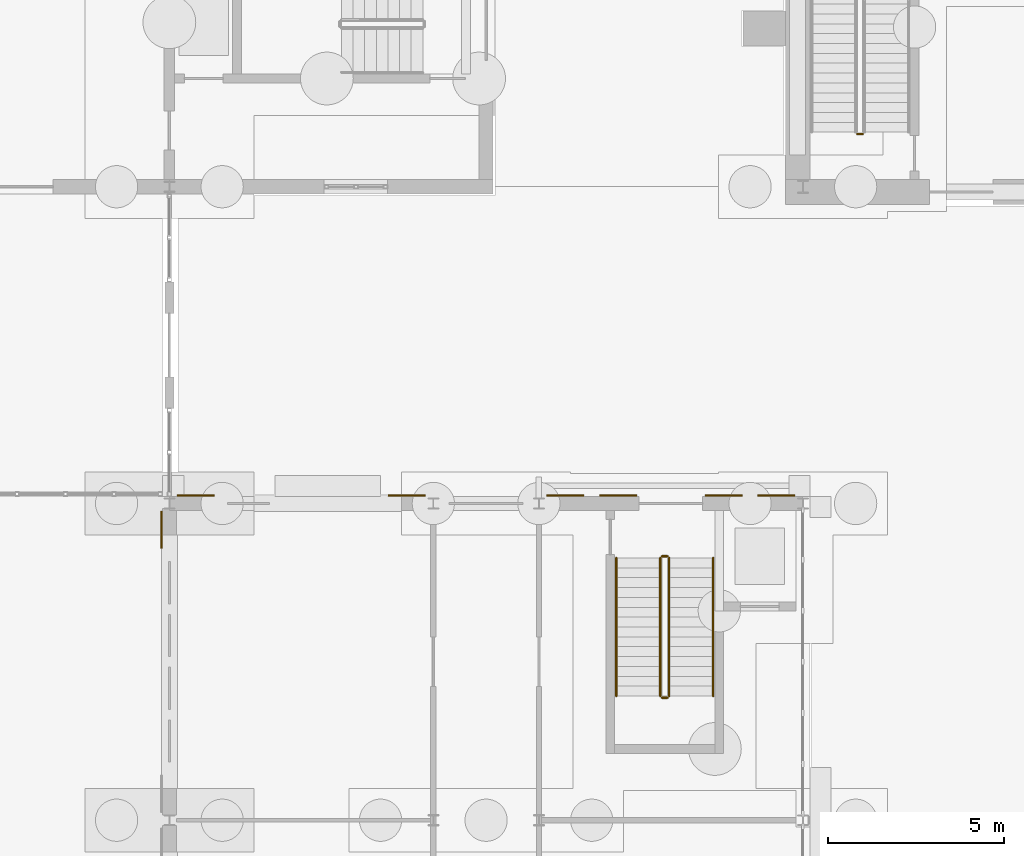
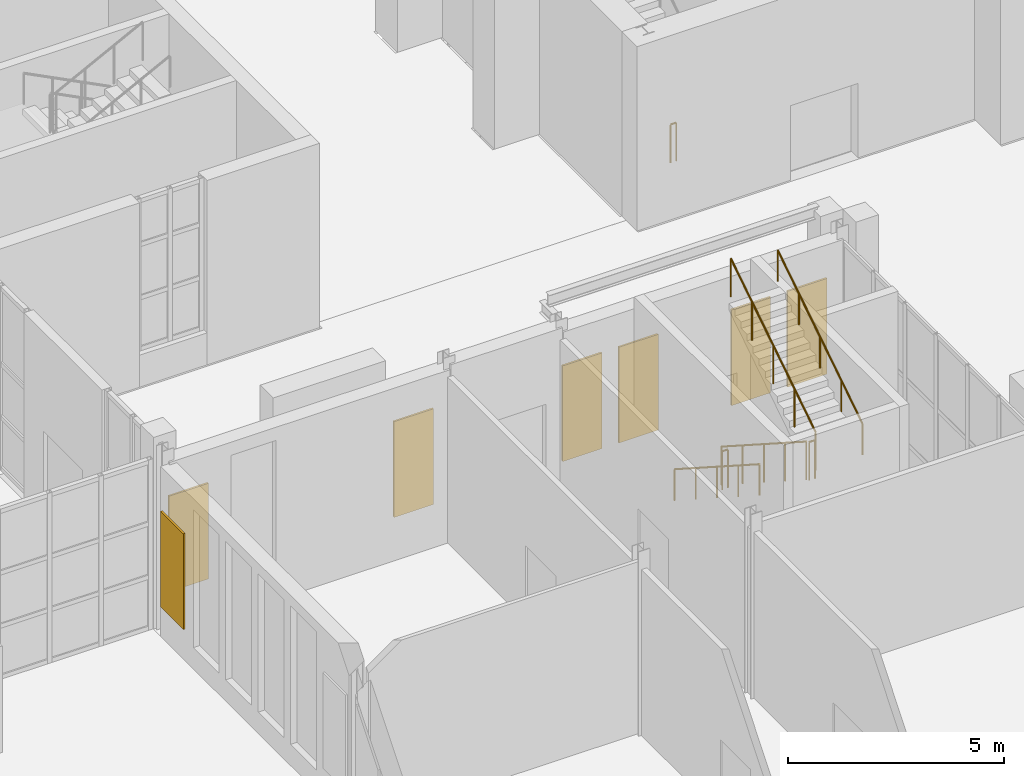
# One storey, part 144 of 168: 7 coverings, 7 railings.
"""IFC4 building model written with IfcOpenShell, lengths in metres."""

from ifc_helpers import new_model, si_unit, direction, frame, origin, origin_2d, place, context, subcontext, project, spatial, polyline, circle, outline, extrude, material, layer, layer_set, type_object, element, save


model = new_model("IFC4")

# Units and contexts
model_context = context("Model", 3, precision=1e-05, world=origin(), true_north=direction((0.0, 1.0)))
body_context = subcontext(model_context, "Body", "Model", "MODEL_VIEW")
ifc_project = project(units=[si_unit("LENGTHUNIT", "METRE"), si_unit("AREAUNIT", "SQUARE_METRE"), si_unit("VOLUMEUNIT", "CUBIC_METRE"), si_unit("PLANEANGLEUNIT", "RADIAN"), si_unit("MASSUNIT", "GRAM", prefix="KILO")], contexts=[model_context])

# Site, building, storey
site_placement = place(None, origin())
site = spatial("IfcSite", under=ifc_project, at=site_placement, CompositionType="ELEMENT")
building_placement = place(site_placement, origin())
building = spatial("IfcBuilding", under=site, at=building_placement, Name="Golden Quay Civic Hall", CompositionType="ELEMENT")
storey_placement = place(building_placement, origin())
storey = spatial("IfcBuildingStorey", under=building, at=storey_placement, Name="L00", CompositionType="ELEMENT", Elevation=0.0)

# Railings
ifc_material_1 = material(Name="Steel S355", Category="steel")
railing_type_1 = type_object("IfcRailingType", Name="Steel guard 1100", PredefinedType="GUARDRAIL", material=ifc_material_1)
railing_1_placement = place(storey_placement, frame((112.949951171875, 52.449951171875, 0.179931640625)))
element("IfcRailing", 1, at=railing_1_placement, inside=storey, type_object=railing_type_1, Name="L00 EM-N stair guard 1", PredefinedType="GUARDRAIL", context=body_context, shape_type="SweptSolid", body=[
    extrude(circle(Radius=0.02392578125, at=origin_2d()), frame((0.0, 0.0, 1.076171875), z_axis=(0.0, -0.841171666519, 0.540768182723), x_axis=(1.0, 0.0, 0.0)), (0.0, 0.0, 1.0), 4.66015625),
    extrude(circle(Radius=0.02099609375, at=origin_2d()), origin(), (0.0, 0.0, 1.0), 1.052001953125),
    extrude(circle(Radius=0.02099609375, at=origin_2d()), frame((0.0, -0.97998046875, 0.6298828125)), (0.0, 0.0, 1.0), 1.052001953125),
    extrude(circle(Radius=0.02099609375, at=origin_2d()), frame((0.0, -1.9599609375, 1.260009765625)), (0.0, 0.0, 1.0), 1.052001953125),
    extrude(circle(Radius=0.02099609375, at=origin_2d()), frame((0.0, -2.93994140625, 1.89013671875)), (0.0, 0.0, 1.0), 1.052001953125),
    extrude(circle(Radius=0.02099609375, at=origin_2d()), frame((0.0, -3.919921875, 2.52001953125)), (0.0, 0.0, 1.0), 1.052001953125),
])
railing_2_placement = place(storey_placement, frame((113.0, 48.47998046875, 2.699951171875)))
element("IfcRailing", 2, at=railing_2_placement, inside=storey, type_object=railing_type_1, Name="L00 EM-N stair guard 2", PredefinedType="GUARDRAIL", context=body_context, shape_type="SweptSolid", body=[
    extrude(circle(Radius=0.02392578125, at=origin_2d()), frame((0.0, 0.0, 1.076171875), z_axis=(1.0, 0.0, 0.0), x_axis=(0.0, 1.0, 0.0)), (0.0, 0.0, 1.0), 0.14990234375),
    extrude(circle(Radius=0.02099609375, at=origin_2d()), origin(), (0.0, 0.0, 1.0), 1.052001953125),
    extrude(circle(Radius=0.02099609375, at=origin_2d()), frame((0.14990234375, 0.0, 0.0)), (0.0, 0.0, 1.0), 1.052001953125),
])
railing_3_placement = place(storey_placement, frame((113.199951171875, 48.530029296875, 2.8798828125)))
element("IfcRailing", 3, at=railing_3_placement, inside=storey, type_object=railing_type_1, Name="L00 EM-N stair guard 3", PredefinedType="GUARDRAIL", context=body_context, shape_type="SweptSolid", body=[
    extrude(circle(Radius=0.02392578125, at=origin_2d()), frame((0.0, 0.0, 1.076171875), z_axis=(0.0, 0.841171666519, 0.540768182723), x_axis=(-1.0, 0.0, 0.0)), (0.0, 0.0, 1.0), 4.66015625),
    extrude(circle(Radius=0.02099609375, at=origin_2d()), origin(), (0.0, 0.0, 1.0), 1.052001953125),
    extrude(circle(Radius=0.02099609375, at=origin_2d()), frame((0.0, 0.97998046875, 0.6298828125)), (0.0, 0.0, 1.0), 1.052001953125),
    extrude(circle(Radius=0.02099609375, at=origin_2d()), frame((0.0, 1.9599609375, 1.260009765625)), (0.0, 0.0, 1.0), 1.052001953125),
    extrude(circle(Radius=0.02099609375, at=origin_2d()), frame((0.0, 2.93994140625, 1.89013671875)), (0.0, 0.0, 1.0), 1.052001953125),
    extrude(circle(Radius=0.02099609375, at=origin_2d()), frame((0.0, 3.919921875, 2.52001953125)), (0.0, 0.0, 1.0), 1.052001953125),
])
railing_4_placement = place(storey_placement, frame((113.0, 52.5, 0.0)))
element("IfcRailing", 4, at=railing_4_placement, inside=storey, type_object=railing_type_1, Name="L00 EM-N stair guard 4", PredefinedType="GUARDRAIL", context=body_context, shape_type="SweptSolid", body=[
    extrude(circle(Radius=0.02392578125, at=origin_2d()), frame((0.0, 0.0, 1.076171875), z_axis=(1.0, 0.0, 0.0), x_axis=(0.0, 1.0, 0.0)), (0.0, 0.0, 1.0), 0.14990234375),
    extrude(circle(Radius=0.02099609375, at=origin_2d()), origin(), (0.0, 0.0, 1.0), 1.052001953125),
    extrude(circle(Radius=0.02099609375, at=origin_2d()), frame((0.14990234375, 0.0, 0.0)), (0.0, 0.0, 1.0), 1.052001953125),
])
railing_5_placement = place(storey_placement, frame((118.699951171875, 64.5, 0.0)))
element("IfcRailing", 5, at=railing_5_placement, inside=storey, type_object=railing_type_1, Name="L00 LB-STW stair guard 4", PredefinedType="GUARDRAIL", context=body_context, shape_type="SweptSolid", body=[
    extrude(circle(Radius=0.02392578125, at=origin_2d()), frame((0.0, 0.0, 1.076171875), z_axis=(-1.0, 0.0, 0.0), x_axis=(0.0, -1.0, 0.0)), (0.0, 0.0, 1.0), 0.14990234375),
    extrude(circle(Radius=0.02099609375, at=origin_2d()), origin(), (0.0, 0.0, 1.0), 1.052001953125),
    extrude(circle(Radius=0.02099609375, at=origin_2d()), frame((-0.14990234375, 0.0, 0.0)), (0.0, 0.0, 1.0), 1.052001953125),
])
ifc_material_2 = material(Name="Steel S355", Category="steel")
railing_type_2 = type_object("IfcRailingType", Name="Steel handrail 900", PredefinedType="HANDRAIL", material=ifc_material_2)
railing_6_placement = place(storey_placement, frame((111.699951171875, 52.449951171875, 0.179931640625)))
element("IfcRailing", 6, at=railing_6_placement, inside=storey, type_object=railing_type_2, Name="L00 EM-N stair handrail 1", PredefinedType="HANDRAIL", context=body_context, shape_type="SweptSolid", body=[
    extrude(circle(Radius=0.02392578125, at=origin_2d()), frame((0.0, 0.0, 0.8759765625), z_axis=(0.0, -0.841171666519, 0.540768182723), x_axis=(1.0, 0.0, 0.0)), (0.0, 0.0, 1.0), 4.66015625),
    extrude(circle(Radius=0.02099609375, at=origin_2d()), origin(), (0.0, 0.0, 1.0), 0.851806640625),
    extrude(circle(Radius=0.02099609375, at=origin_2d()), frame((0.0, -0.97998046875, 0.6298828125)), (0.0, 0.0, 1.0), 0.851806640625),
    extrude(circle(Radius=0.02099609375, at=origin_2d()), frame((0.0, -1.9599609375, 1.260009765625)), (0.0, 0.0, 1.0), 0.851806640625),
    extrude(circle(Radius=0.02099609375, at=origin_2d()), frame((0.0, -2.93994140625, 1.89013671875)), (0.0, 0.0, 1.0), 0.851806640625),
    extrude(circle(Radius=0.02099609375, at=origin_2d()), frame((0.0, -3.919921875, 2.52001953125)), (0.0, 0.0, 1.0), 0.851806640625),
])
railing_7_placement = place(storey_placement, frame((114.449951171875, 48.530029296875, 2.8798828125)))
element("IfcRailing", 7, at=railing_7_placement, inside=storey, type_object=railing_type_2, Name="L00 EM-N stair handrail 2", PredefinedType="HANDRAIL", context=body_context, shape_type="SweptSolid", body=[
    extrude(circle(Radius=0.02392578125, at=origin_2d()), frame((0.0, 0.0, 0.8759765625), z_axis=(0.0, 0.841171666519, 0.540768182723), x_axis=(-1.0, 0.0, 0.0)), (0.0, 0.0, 1.0), 4.66015625),
    extrude(circle(Radius=0.02099609375, at=origin_2d()), origin(), (0.0, 0.0, 1.0), 0.851806640625),
    extrude(circle(Radius=0.02099609375, at=origin_2d()), frame((0.0, 0.97998046875, 0.6298828125)), (0.0, 0.0, 1.0), 0.851806640625),
    extrude(circle(Radius=0.02099609375, at=origin_2d()), frame((0.0, 1.9599609375, 1.260009765625)), (0.0, 0.0, 1.0), 0.851806640625),
    extrude(circle(Radius=0.02099609375, at=origin_2d()), frame((0.0, 2.93994140625, 1.89013671875)), (0.0, 0.0, 1.0), 0.851806640625),
    extrude(circle(Radius=0.02099609375, at=origin_2d()), frame((0.0, 3.919921875, 2.52001953125)), (0.0, 0.0, 1.0), 0.851806640625),
])

# Coverings
ifc_material_3 = material(Name="Terracotta cladding, golden glaze", Category="masonry")
ifc_layer = layer(ifc_material_3, 0.050048828125)
ifc_layer_set = layer_set([ifc_layer], Name="Terracotta solid panel 1050 x 2700 x 50")
covering_type = type_object("IfcCoveringType", Name="Terracotta solid panel 1050 x 2700 x 50", PredefinedType="CLADDING", material=ifc_layer_set)
covering_1_placement = place(storey_placement, frame((0.0, 0.0, 0.89990234375)))
element("IfcCovering", 8, at=covering_1_placement, inside=storey, type_object=covering_type, Name="Terracotta solid panel 1050 x 2700 x 50 L00 59", PredefinedType="CLADDING", context=body_context, shape_type="SweptSolid", body=[
    extrude(outline(polyline([(98.800048828125, 52.72509765625), (98.800048828125, 53.77490234375), (98.75, 53.77490234375), (98.75, 52.72509765625), (98.800048828125, 52.72509765625)])), origin(), (0.0, 0.0, 1.0), 2.7001953125),
])
covering_2_placement = place(storey_placement, frame((0.0, 0.0, 0.89990234375)))
element("IfcCovering", 9, at=covering_2_placement, inside=storey, type_object=covering_type, Name="Terracotta solid panel 1050 x 2700 x 50 L00 60", PredefinedType="CLADDING", context=body_context, shape_type="SweptSolid", body=[
    extrude(outline(polyline([(99.22509765625, 54.199951171875), (100.27490234375, 54.199951171875), (100.27490234375, 54.25), (99.22509765625, 54.25), (99.22509765625, 54.199951171875)])), origin(), (0.0, 0.0, 1.0), 2.7001953125),
])
covering_3_placement = place(storey_placement, frame((0.0, 0.0, 0.89990234375)))
element("IfcCovering", 10, at=covering_3_placement, inside=storey, type_object=covering_type, Name="Terracotta solid panel 1050 x 2700 x 50 L00 61", PredefinedType="CLADDING", context=body_context, shape_type="SweptSolid", body=[
    extrude(outline(polyline([(105.22509765625, 54.199951171875), (106.27490234375, 54.199951171875), (106.27490234375, 54.25), (105.22509765625, 54.25), (105.22509765625, 54.199951171875)])), origin(), (0.0, 0.0, 1.0), 2.7001953125),
])
covering_4_placement = place(storey_placement, frame((0.0, 0.0, 0.89990234375)))
element("IfcCovering", 11, at=covering_4_placement, inside=storey, type_object=covering_type, Name="Terracotta solid panel 1050 x 2700 x 50 L00 62", PredefinedType="CLADDING", context=body_context, shape_type="SweptSolid", body=[
    extrude(outline(polyline([(109.72509765625, 54.199951171875), (110.77490234375, 54.199951171875), (110.77490234375, 54.25), (109.72509765625, 54.25), (109.72509765625, 54.199951171875)])), origin(), (0.0, 0.0, 1.0), 2.7001953125),
])
covering_5_placement = place(storey_placement, frame((0.0, 0.0, 0.89990234375)))
element("IfcCovering", 12, at=covering_5_placement, inside=storey, type_object=covering_type, Name="Terracotta solid panel 1050 x 2700 x 50 L00 63", PredefinedType="CLADDING", context=body_context, shape_type="SweptSolid", body=[
    extrude(outline(polyline([(111.22509765625, 54.199951171875), (112.27490234375, 54.199951171875), (112.27490234375, 54.25), (111.22509765625, 54.25), (111.22509765625, 54.199951171875)])), origin(), (0.0, 0.0, 1.0), 2.7001953125),
])
covering_6_placement = place(storey_placement, frame((0.0, 0.0, 0.89990234375)))
element("IfcCovering", 13, at=covering_6_placement, inside=storey, type_object=covering_type, Name="Terracotta solid panel 1050 x 2700 x 50 L00 64", PredefinedType="CLADDING", context=body_context, shape_type="SweptSolid", body=[
    extrude(outline(polyline([(114.22509765625, 54.199951171875), (115.27490234375, 54.199951171875), (115.27490234375, 54.25), (114.22509765625, 54.25), (114.22509765625, 54.199951171875)])), origin(), (0.0, 0.0, 1.0), 2.7001953125),
])
covering_7_placement = place(storey_placement, frame((0.0, 0.0, 0.89990234375)))
element("IfcCovering", 14, at=covering_7_placement, inside=storey, type_object=covering_type, Name="Terracotta solid panel 1050 x 2700 x 50 L00 65", PredefinedType="CLADDING", context=body_context, shape_type="SweptSolid", body=[
    extrude(outline(polyline([(115.72509765625, 54.199951171875), (116.77490234375, 54.199951171875), (116.77490234375, 54.25), (115.72509765625, 54.25), (115.72509765625, 54.199951171875)])), origin(), (0.0, 0.0, 1.0), 2.7001953125),
])

save(model, "model.ifc")
